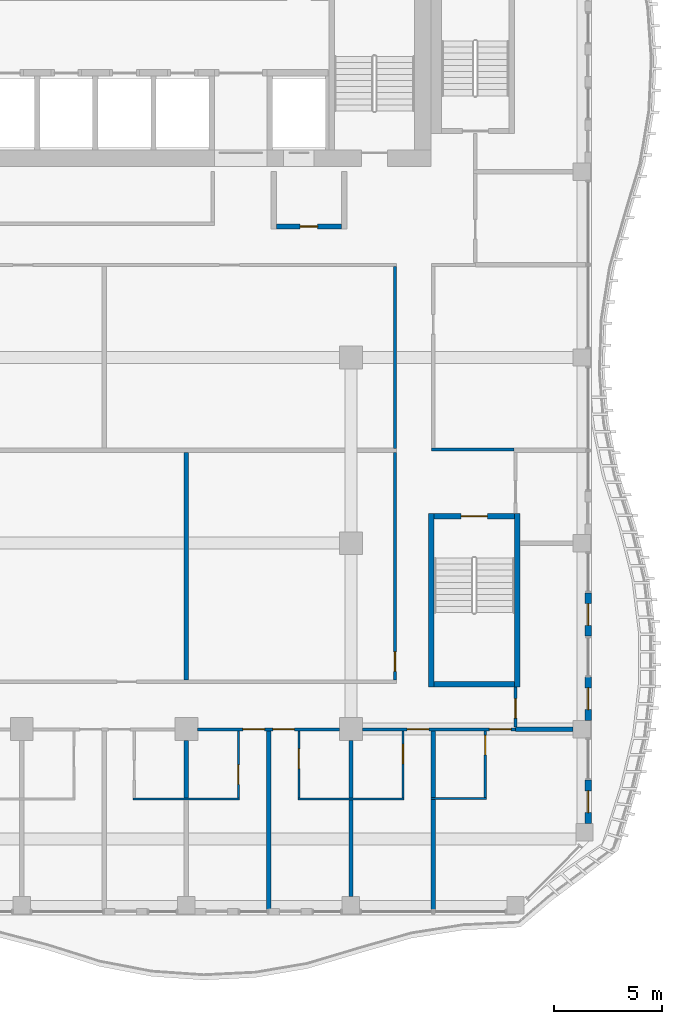
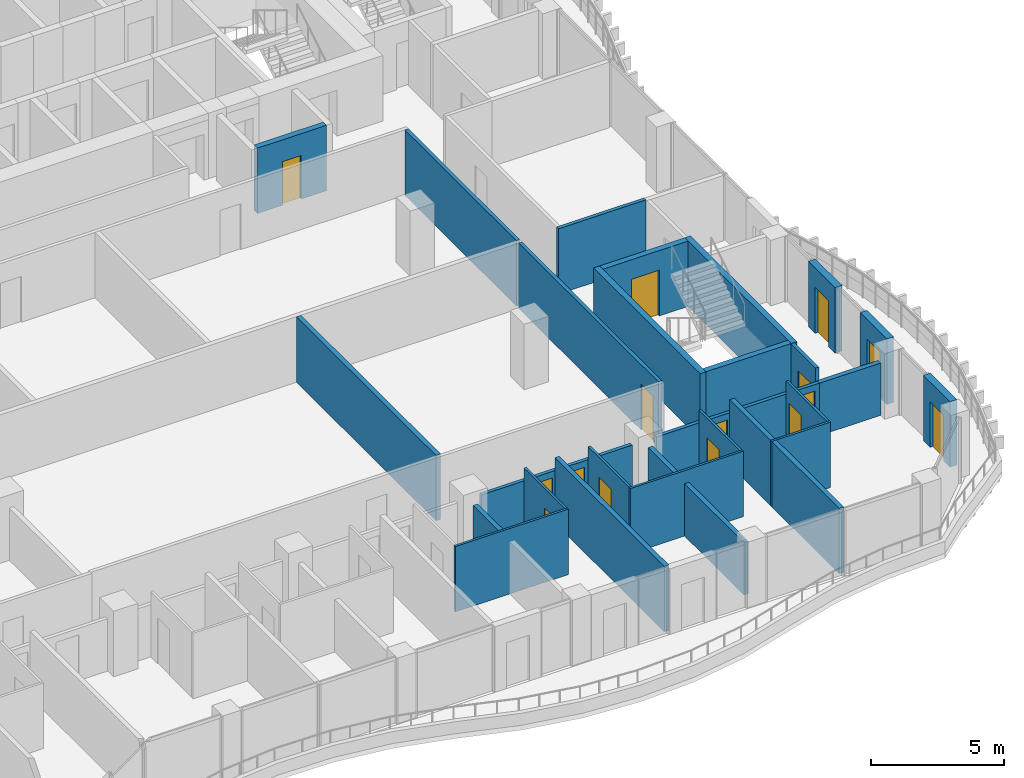
# One storey, part 13 of 24: 29 walls, 15 doors, 15 openings.
"""IFC4 building model written with IfcOpenShell, lengths in metres."""

from ifc_helpers import new_model, si_unit, direction, frame, frame_2d, origin, place, context, subcontext, project, spatial, rectangle, extrude, source, transform, mapped, material, layer, layer_set, type_object, element, fill, save


model = new_model("IFC4")

# Units and contexts
model_context = context("Model", 3, precision=1e-05, world=origin(), true_north=direction((0.0, 1.0)))
body_context = subcontext(model_context, "Body", "Model", "MODEL_VIEW")
ifc_project = project(units=[si_unit("LENGTHUNIT", "METRE"), si_unit("AREAUNIT", "SQUARE_METRE"), si_unit("VOLUMEUNIT", "CUBIC_METRE"), si_unit("PLANEANGLEUNIT", "RADIAN"), si_unit("MASSUNIT", "GRAM", prefix="KILO")], contexts=[model_context])

# Site, building, storey
site_placement = place(None, origin())
site = spatial("IfcSite", under=ifc_project, at=site_placement, CompositionType="ELEMENT")
building_placement = place(site_placement, origin())
building = spatial("IfcBuilding", under=site, at=building_placement, Name="Kilnfold Tower and Market Hall", CompositionType="ELEMENT")
storey_placement = place(building_placement, frame((0.0, 0.0, 192.300048828125)))
storey = spatial("IfcBuildingStorey", under=building, at=storey_placement, Name="L46", CompositionType="ELEMENT", Elevation=192.300048828125)

# Wall, openings, doors
ifc_material_1 = material(Name="Gypsum board on steel studs", Category="steel")
ifc_layer_1 = layer(ifc_material_1, 0.14990234375)
ifc_layer_set_1 = layer_set([ifc_layer_1], Name="Gypsum board on steel studs")
wall_type_1 = type_object("IfcWallType", Name="WALL CORRIDOR 150", PredefinedType="PARTITIONING", material=ifc_layer_set_1)
wall_1_placement = place(storey_placement, frame((7.10791015625, -17.699951171875, 0.0), z_axis=(0.0, 0.0, 1.0), x_axis=(1.0, 0.0, 0.0)))
wall_1 = element("IfcWall", 1, at=wall_1_placement, inside=storey, type_object=wall_type_1, Name="Partition LY28.5", PredefinedType="PARTITIONING", context=body_context, shape_type="SweptSolid", body=[
    extrude(rectangle(XDim=6.5341796875, YDim=0.14990234375, at=frame_2d((3.26708984375, 0.0))), origin(), (0.0, 0.0, 1.0), 2.39990234375),
])
opening_1_placement = place(wall_1_placement, frame((2.076904296875, 0.0, 0.0)))
opening_1 = element("IfcOpeningElement", 2, at=opening_1_placement, cuts=wall_1, Name="Opening D1", PredefinedType="OPENING", context=body_context, shape_type="SweptSolid", body=[
    extrude(rectangle(XDim=1.0, YDim=2.10009765625, at=frame_2d((0.5, 1.050048828125))), frame((0.0, 0.0849609375, 0.0), z_axis=(0.0, -1.0, 0.0), x_axis=(1.0, 0.0, 0.0)), (0.0, 0.0, 1.0), 0.169921875),
])
opening_2_placement = place(wall_1_placement, frame((3.45703125, 0.0, 0.0)))
opening_2 = element("IfcOpeningElement", 3, at=opening_2_placement, cuts=wall_1, Name="Opening D1", PredefinedType="OPENING", context=body_context, shape_type="SweptSolid", body=[
    extrude(rectangle(XDim=1.0, YDim=2.10009765625, at=frame_2d((0.5, 1.050048828125))), frame((0.0, 0.0849609375, 0.0), z_axis=(0.0, -1.0, 0.0), x_axis=(1.0, 0.0, 0.0)), (0.0, 0.0, 1.0), 0.169921875),
])
ifc_material_2 = material(Name="Timber veneer door leaf in steel frame", Category="steel")
door_type_1 = type_object("IfcDoorType", Name="DOOR ENTRY 1000 X2100", OperationType="NOTDEFINED", PredefinedType="DOOR", material=ifc_material_2)
door_1_placement = place(opening_1_placement, origin())
door_1 = element("IfcDoor", 4, at=door_1_placement, inside=storey, type_object=door_type_1, Name="Door D1", OperationType="SINGLE_SWING_RIGHT", OverallHeight=2.10009765625, OverallWidth=1.0, PredefinedType="DOOR", context=body_context, shape_type="SweptSolid", body=[
    extrude(rectangle(XDim=1.0, YDim=2.10009765625, at=frame_2d((0.5, 1.050048828125))), frame((0.0, 0.02490234375, 0.0), z_axis=(0.0, -1.0, 0.0), x_axis=(1.0, 0.0, 0.0)), (0.0, 0.0, 1.0), 0.050048828125),
])
fill(opening_1, door_1)
door_2_placement = place(opening_2_placement, origin())
door_2 = element("IfcDoor", 5, at=door_2_placement, inside=storey, type_object=door_type_1, Name="Door D1", OperationType="SINGLE_SWING_LEFT", OverallHeight=2.10009765625, OverallWidth=1.0, PredefinedType="DOOR", context=body_context, shape_type="SweptSolid", body=[
    extrude(rectangle(XDim=1.0, YDim=2.10009765625, at=frame_2d((0.5, 1.050048828125))), frame((0.0, 0.02490234375, 0.0), z_axis=(0.0, -1.0, 0.0), x_axis=(1.0, 0.0, 0.0)), (0.0, 0.0, 1.0), 0.050048828125),
])
fill(opening_2, door_2)

wall_2_placement = place(storey_placement, frame((14.69189453125, -17.699951171875, 0.0), z_axis=(0.0, 0.0, 1.0), x_axis=(1.0, 0.0, 0.0)))
wall_2 = element("IfcWall", 6, at=wall_2_placement, inside=storey, type_object=wall_type_1, Name="Partition LY28.6", PredefinedType="PARTITIONING", context=body_context, shape_type="SweptSolid", body=[
    extrude(rectangle(XDim=7.05810546875, YDim=0.14990234375, at=frame_2d((3.529052734375, 0.0))), origin(), (0.0, 0.0, 1.0), 2.39990234375),
])
opening_3_placement = place(wall_2_placement, frame((2.06494140625, 0.0, 0.0)))
opening_3 = element("IfcOpeningElement", 7, at=opening_3_placement, cuts=wall_2, Name="Opening D1", PredefinedType="OPENING", context=body_context, shape_type="SweptSolid", body=[
    extrude(rectangle(XDim=1.0, YDim=2.10009765625, at=frame_2d((0.5, 1.050048828125))), frame((0.0, 0.0849609375, 0.0), z_axis=(0.0, -1.0, 0.0), x_axis=(1.0, 0.0, 0.0)), (0.0, 0.0, 1.0), 0.169921875),
])
opening_4_placement = place(wall_2_placement, frame((5.85791015625, 0.0, 0.0)))
opening_4 = element("IfcOpeningElement", 8, at=opening_4_placement, cuts=wall_2, Name="Opening D1", PredefinedType="OPENING", context=body_context, shape_type="SweptSolid", body=[
    extrude(rectangle(XDim=1.0, YDim=2.10009765625, at=frame_2d((0.5, 1.050048828125))), frame((0.0, 0.0849609375, 0.0), z_axis=(0.0, -1.0, 0.0), x_axis=(1.0, 0.0, 0.0)), (0.0, 0.0, 1.0), 0.169921875),
])
door_3_placement = place(opening_3_placement, origin())
door_3 = element("IfcDoor", 9, at=door_3_placement, inside=storey, type_object=door_type_1, Name="Door D1", OperationType="SINGLE_SWING_LEFT", OverallHeight=2.10009765625, OverallWidth=1.0, PredefinedType="DOOR", context=body_context, shape_type="SweptSolid", body=[
    extrude(rectangle(XDim=1.0, YDim=2.10009765625, at=frame_2d((0.5, 1.050048828125))), frame((0.0, 0.02490234375, 0.0), z_axis=(0.0, -1.0, 0.0), x_axis=(1.0, 0.0, 0.0)), (0.0, 0.0, 1.0), 0.050048828125),
])
fill(opening_3, door_3)
door_4_placement = place(opening_4_placement, origin())
door_4 = element("IfcDoor", 10, at=door_4_placement, inside=storey, type_object=door_type_1, Name="Door D1", OperationType="SINGLE_SWING_RIGHT", OverallHeight=2.10009765625, OverallWidth=1.0, PredefinedType="DOOR", context=body_context, shape_type="SweptSolid", body=[
    extrude(rectangle(XDim=1.0, YDim=2.10009765625, at=frame_2d((0.5, 1.050048828125))), frame((0.0, 0.02490234375, 0.0), z_axis=(0.0, -1.0, 0.0), x_axis=(1.0, 0.0, 0.0)), (0.0, 0.0, 1.0), 0.050048828125),
])
fill(opening_4, door_4)

# Wall
wall_3_placement = place(storey_placement, frame((17.884033203125, -4.800048828125, 0.0), z_axis=(0.0, 0.0, 1.0), x_axis=(1.0, 0.0, 0.0)))
element("IfcWall", 11, at=wall_3_placement, inside=storey, type_object=wall_type_1, Name="Partition LY28.36", PredefinedType="PARTITIONING", context=body_context, shape_type="SweptSolid", body=[
    extrude(rectangle(XDim=3.79296875, YDim=0.14990234375, at=frame_2d((1.896484375, 0.0))), origin(), (0.0, 0.0, 1.0), 3.0),
])

# Wall, opening, door
wall_4_placement = place(storey_placement, frame((21.75, -17.597900390625, 0.0), z_axis=(0.0, 0.0, 1.0), x_axis=(0.0, 1.0, 0.0)))
wall_4 = element("IfcWall", 12, at=wall_4_placement, inside=storey, type_object=wall_type_1, Name="Partition LY28.38", PredefinedType="PARTITIONING", context=body_context, shape_type="SweptSolid", body=[
    extrude(rectangle(XDim=1.847900390625, YDim=0.14990234375, at=frame_2d((0.923828125, 0.0))), origin(), (0.0, 0.0, 1.0), 3.0),
])
opening_5_placement = place(wall_4_placement, frame((0.4189453125, 0.0, 0.0)))
opening_5 = element("IfcOpeningElement", 13, at=opening_5_placement, cuts=wall_4, Name="Opening D2", PredefinedType="OPENING", context=body_context, shape_type="SweptSolid", body=[
    extrude(rectangle(XDim=0.89990234375, YDim=2.10009765625, at=frame_2d((0.449951171875, 1.050048828125))), frame((0.0, 0.0849609375, 0.0), z_axis=(0.0, -1.0, 0.0), x_axis=(1.0, 0.0, 0.0)), (0.0, 0.0, 1.0), 0.169921875),
])
ifc_material_3 = material(Name="Timber veneer door leaf in steel frame", Category="steel")
door_type_2 = type_object("IfcDoorType", Name="DOOR ROOM 900 X2100", OperationType="NOTDEFINED", PredefinedType="DOOR", material=ifc_material_3)
door_5_placement = place(opening_5_placement, origin())
door_5 = element("IfcDoor", 14, at=door_5_placement, inside=storey, type_object=door_type_2, Name="Door D2", OperationType="SINGLE_SWING_LEFT", OverallHeight=2.10009765625, OverallWidth=0.89990234375, PredefinedType="DOOR", context=body_context, shape_type="SweptSolid", body=[
    extrude(rectangle(XDim=0.89990234375, YDim=2.10009765625, at=frame_2d((0.449951171875, 1.050048828125))), frame((0.0, 0.02490234375, 0.0), z_axis=(0.0, -1.0, 0.0), x_axis=(1.0, 0.0, 0.0)), (0.0, 0.0, 1.0), 0.050048828125),
])
fill(opening_5, door_5)

# Wall
wall_5_placement = place(storey_placement, frame((16.199951171875, -4.7529296875, 0.0), z_axis=(0.0, 0.0, 1.0), x_axis=(0.0, 1.0, 0.0)))
element("IfcWall", 15, at=wall_5_placement, inside=storey, type_object=wall_type_1, Name="Partition LY28.45", PredefinedType="PARTITIONING", context=body_context, shape_type="SweptSolid", body=[
    extrude(rectangle(XDim=8.3779296875, YDim=0.14990234375, at=frame_2d((4.18896484375, 0.0))), origin(), (0.0, 0.0, 1.0), 3.0),
])

# Wall, opening, door
wall_6_placement = place(storey_placement, frame((16.199951171875, -15.425048828125, 0.0), z_axis=(0.0, 0.0, 1.0), x_axis=(0.0, 1.0, 0.0)))
wall_6 = element("IfcWall", 16, at=wall_6_placement, inside=storey, type_object=wall_type_1, Name="Partition LY28.49", PredefinedType="PARTITIONING", context=body_context, shape_type="SweptSolid", body=[
    extrude(rectangle(XDim=10.491943359375, YDim=0.14990234375, at=frame_2d((5.24609375, 0.0))), origin(), (0.0, 0.0, 1.0), 3.0),
])
opening_6_placement = place(wall_6_placement, frame((0.402099609375, 0.0, 0.0)))
opening_6 = element("IfcOpeningElement", 17, at=opening_6_placement, cuts=wall_6, Name="Opening D2", PredefinedType="OPENING", context=body_context, shape_type="SweptSolid", body=[
    extrude(rectangle(XDim=0.89990234375, YDim=2.10009765625, at=frame_2d((0.449951171875, 1.050048828125))), frame((0.0, 0.0849609375, 0.0), z_axis=(0.0, -1.0, 0.0), x_axis=(1.0, 0.0, 0.0)), (0.0, 0.0, 1.0), 0.169921875),
])
door_6_placement = place(opening_6_placement, origin())
door_6 = element("IfcDoor", 18, at=door_6_placement, inside=storey, type_object=door_type_2, Name="Door D2", OperationType="SINGLE_SWING_RIGHT", OverallHeight=2.10009765625, OverallWidth=0.89990234375, PredefinedType="DOOR", context=body_context, shape_type="SweptSolid", body=[
    extrude(rectangle(XDim=0.89990234375, YDim=2.10009765625, at=frame_2d((0.449951171875, 1.050048828125))), frame((0.0, 0.02490234375, 0.0), z_axis=(0.0, -1.0, 0.0), x_axis=(1.0, 0.0, 0.0)), (0.0, 0.0, 1.0), 0.050048828125),
])
fill(opening_6, door_6)

# Wall
ifc_material_4 = material(Name="Gypsum board on steel studs", Category="steel")
ifc_layer_2 = layer(ifc_material_4, 0.10009765625)
ifc_layer_set_2 = layer_set([ifc_layer_2], Name="Gypsum board on steel studs")
wall_type_2 = type_object("IfcWallType", Name="WALL PARTITION 100", PredefinedType="PARTITIONING", material=ifc_layer_set_2)
wall_7_placement = place(storey_placement, frame((4.133056640625, -20.902099609375, 0.0), z_axis=(0.0, 0.0, 1.0), x_axis=(1.0, 0.0, 0.0)))
element("IfcWall", 19, at=wall_7_placement, inside=storey, type_object=wall_type_2, Name="Partition LY28.72", PredefinedType="PARTITIONING", context=body_context, shape_type="SweptSolid", body=[
    extrude(rectangle(XDim=4.89990234375, YDim=0.10009765625, at=frame_2d((2.449951171875, 0.0))), origin(), (0.0, 0.0, 1.0), 3.0),
])

# Wall, opening, door
wall_8_placement = place(storey_placement, frame((8.98291015625, -17.777099609375, 0.0), z_axis=(0.0, 0.0, 1.0), x_axis=(0.0, -1.0, 0.0)))
wall_8 = element("IfcWall", 20, at=wall_8_placement, inside=storey, type_object=wall_type_2, Name="Partition LY28.75", PredefinedType="PARTITIONING", context=body_context, shape_type="SweptSolid", body=[
    extrude(rectangle(XDim=3.074951171875, YDim=0.10009765625, at=frame_2d((1.53759765625, 0.0))), origin(), (0.0, 0.0, 1.0), 3.0),
])
opening_7_placement = place(wall_8_placement, frame((1.556884765625, 0.0, 0.0)))
opening_7 = element("IfcOpeningElement", 21, at=opening_7_placement, cuts=wall_8, Name="Opening D3", PredefinedType="OPENING", context=body_context, shape_type="SweptSolid", body=[
    extrude(rectangle(XDim=0.89990234375, YDim=2.10009765625, at=frame_2d((0.449951171875, 1.050048828125))), frame((0.0, 0.06005859375, 0.0), z_axis=(0.0, -1.0, 0.0), x_axis=(1.0, 0.0, 0.0)), (0.0, 0.0, 1.0), 0.1201171875),
])
ifc_material_5 = material(Name="Timber veneer door leaf in steel frame", Category="steel")
door_type_3 = type_object("IfcDoorType", Name="DOOR WC 900 X2100", OperationType="NOTDEFINED", PredefinedType="DOOR", material=ifc_material_5)
door_7_placement = place(opening_7_placement, origin())
door_7 = element("IfcDoor", 22, at=door_7_placement, inside=storey, type_object=door_type_3, Name="Door D3", OperationType="SINGLE_SWING_RIGHT", OverallHeight=2.10009765625, OverallWidth=0.89990234375, PredefinedType="DOOR", context=body_context, shape_type="SweptSolid", body=[
    extrude(rectangle(XDim=0.89990234375, YDim=2.10009765625, at=frame_2d((0.449951171875, 1.050048828125))), frame((0.0, 0.02490234375, 0.0), z_axis=(0.0, -1.0, 0.0), x_axis=(1.0, 0.0, 0.0)), (0.0, 0.0, 1.0), 0.050048828125),
])
fill(opening_7, door_7)

wall_9_placement = place(storey_placement, frame((11.76708984375, -20.85205078125, 0.0), z_axis=(0.0, 0.0, 1.0), x_axis=(0.0, 1.0, 0.0)))
wall_9 = element("IfcWall", 23, at=wall_9_placement, inside=storey, type_object=wall_type_2, Name="Partition LY28.77", PredefinedType="PARTITIONING", context=body_context, shape_type="SweptSolid", body=[
    extrude(rectangle(XDim=3.074951171875, YDim=0.10009765625, at=frame_2d((1.53759765625, 0.0))), origin(), (0.0, 0.0, 1.0), 3.0),
])
opening_8_placement = place(wall_9_placement, frame((1.34912109375, 0.0, 0.0)))
opening_8 = element("IfcOpeningElement", 24, at=opening_8_placement, cuts=wall_9, Name="Opening D3", PredefinedType="OPENING", context=body_context, shape_type="SweptSolid", body=[
    extrude(rectangle(XDim=0.89990234375, YDim=2.10009765625, at=frame_2d((0.449951171875, 1.050048828125))), frame((0.0, 0.06005859375, 0.0), z_axis=(0.0, -1.0, 0.0), x_axis=(1.0, 0.0, 0.0)), (0.0, 0.0, 1.0), 0.1201171875),
])
door_8_placement = place(opening_8_placement, origin())
door_8 = element("IfcDoor", 25, at=door_8_placement, inside=storey, type_object=door_type_3, Name="Door D3", OperationType="SINGLE_SWING_RIGHT", OverallHeight=2.10009765625, OverallWidth=0.89990234375, PredefinedType="DOOR", context=body_context, shape_type="SweptSolid", body=[
    extrude(rectangle(XDim=0.89990234375, YDim=2.10009765625, at=frame_2d((0.449951171875, 1.050048828125))), frame((0.0, 0.02490234375, 0.0), z_axis=(0.0, -1.0, 0.0), x_axis=(1.0, 0.0, 0.0)), (0.0, 0.0, 1.0), 0.050048828125),
])
fill(opening_8, door_8)

# Wall
wall_10_placement = place(storey_placement, frame((11.717041015625, -20.902099609375, 0.0), z_axis=(0.0, 0.0, 1.0), x_axis=(1.0, 0.0, 0.0)))
element("IfcWall", 26, at=wall_10_placement, inside=storey, type_object=wall_type_2, Name="Partition LY28.78", PredefinedType="PARTITIONING", context=body_context, shape_type="SweptSolid", body=[
    extrude(rectangle(XDim=4.89990234375, YDim=0.10009765625, at=frame_2d((2.449951171875, 0.0))), origin(), (0.0, 0.0, 1.0), 3.0),
])

# Wall, opening, door
wall_11_placement = place(storey_placement, frame((16.56689453125, -17.777099609375, 0.0), z_axis=(0.0, 0.0, 1.0), x_axis=(0.0, -1.0, 0.0)))
wall_11 = element("IfcWall", 27, at=wall_11_placement, inside=storey, type_object=wall_type_2, Name="Partition LY28.81", PredefinedType="PARTITIONING", context=body_context, shape_type="SweptSolid", body=[
    extrude(rectangle(XDim=3.074951171875, YDim=0.10009765625, at=frame_2d((1.53759765625, 0.0))), origin(), (0.0, 0.0, 1.0), 3.0),
])
opening_9_placement = place(wall_11_placement, frame((0.617919921875, 0.0, 0.0)))
opening_9 = element("IfcOpeningElement", 28, at=opening_9_placement, cuts=wall_11, Name="Opening D3", PredefinedType="OPENING", context=body_context, shape_type="SweptSolid", body=[
    extrude(rectangle(XDim=0.89990234375, YDim=2.10009765625, at=frame_2d((0.449951171875, 1.050048828125))), frame((0.0, 0.06005859375, 0.0), z_axis=(0.0, -1.0, 0.0), x_axis=(1.0, 0.0, 0.0)), (0.0, 0.0, 1.0), 0.1201171875),
])
door_9_placement = place(opening_9_placement, origin())
door_9 = element("IfcDoor", 29, at=door_9_placement, inside=storey, type_object=door_type_3, Name="Door D3", OperationType="SINGLE_SWING_LEFT", OverallHeight=2.10009765625, OverallWidth=0.89990234375, PredefinedType="DOOR", context=body_context, shape_type="SweptSolid", body=[
    extrude(rectangle(XDim=0.89990234375, YDim=2.10009765625, at=frame_2d((0.449951171875, 1.050048828125))), frame((0.0, 0.02490234375, 0.0), z_axis=(0.0, -1.0, 0.0), x_axis=(1.0, 0.0, 0.0)), (0.0, 0.0, 1.0), 0.050048828125),
])
fill(opening_9, door_9)

# Wall
wall_12_placement = place(storey_placement, frame((17.85888671875, -20.887939453125, 0.0), z_axis=(0.0, 0.0, 1.0), x_axis=(1.0, 0.0, 0.0)))
element("IfcWall", 30, at=wall_12_placement, inside=storey, type_object=wall_type_2, Name="Partition LY28.84", PredefinedType="PARTITIONING", context=body_context, shape_type="SweptSolid", body=[
    extrude(rectangle(XDim=2.550048828125, YDim=0.10009765625, at=frame_2d((1.27490234375, 0.0))), origin(), (0.0, 0.0, 1.0), 3.0),
])

# Wall, opening, door
wall_13_placement = place(storey_placement, frame((20.35888671875, -17.777099609375, 0.0), z_axis=(0.0, 0.0, 1.0), x_axis=(0.0, -1.0, 0.0)))
wall_13 = element("IfcWall", 31, at=wall_13_placement, inside=storey, type_object=wall_type_2, Name="Partition LY28.85", PredefinedType="PARTITIONING", context=body_context, shape_type="SweptSolid", body=[
    extrude(rectangle(XDim=3.060791015625, YDim=0.10009765625, at=frame_2d((1.5302734375, 0.0))), origin(), (0.0, 0.0, 1.0), 3.0),
])
opening_10_placement = place(wall_13_placement, frame((0.199951171875, 0.0, 0.0)))
opening_10 = element("IfcOpeningElement", 32, at=opening_10_placement, cuts=wall_13, Name="Opening D3", PredefinedType="OPENING", context=body_context, shape_type="SweptSolid", body=[
    extrude(rectangle(XDim=0.89990234375, YDim=2.10009765625, at=frame_2d((0.449951171875, 1.050048828125))), frame((0.0, 0.06005859375, 0.0), z_axis=(0.0, -1.0, 0.0), x_axis=(1.0, 0.0, 0.0)), (0.0, 0.0, 1.0), 0.1201171875),
])
door_10_placement = place(opening_10_placement, origin())
door_10 = element("IfcDoor", 33, at=door_10_placement, inside=storey, type_object=door_type_3, Name="Door D3", OperationType="SINGLE_SWING_LEFT", OverallHeight=2.10009765625, OverallWidth=0.89990234375, PredefinedType="DOOR", context=body_context, shape_type="SweptSolid", body=[
    extrude(rectangle(XDim=0.89990234375, YDim=2.10009765625, at=frame_2d((0.449951171875, 1.050048828125))), frame((0.0, 0.02490234375, 0.0), z_axis=(0.0, -1.0, 0.0), x_axis=(1.0, 0.0, 0.0)), (0.0, 0.0, 1.0), 0.050048828125),
])
fill(opening_10, door_10)

# Walls
ifc_material_6 = material(Name="Gypsum board on steel studs", Category="steel")
ifc_layer_3 = layer(ifc_material_6, 0.199951171875)
ifc_layer_set_3 = layer_set([ifc_layer_3], Name="Gypsum board on steel studs")
wall_type_3 = type_object("IfcWallType", Name="WALL PARTY 200", PredefinedType="PARTITIONING", material=ifc_layer_set_3)
wall_14_placement = place(storey_placement, frame((6.5830078125, -20.85205078125, 0.0), z_axis=(0.0, 0.0, 1.0), x_axis=(0.0, 1.0, 0.0)))
element("IfcWall", 34, at=wall_14_placement, inside=storey, type_object=wall_type_3, Name="Partition LY28.74", PredefinedType="PARTITIONING", context=body_context, shape_type="SweptSolid", body=[
    extrude(rectangle(XDim=2.64013671875, YDim=0.199951171875, at=frame_2d((1.320068359375, 0.0))), origin(), (0.0, 0.0, 1.0), 2.39990234375),
])
wall_15_placement = place(storey_placement, frame((10.375, -26.0, 0.0), z_axis=(0.0, 0.0, 1.0), x_axis=(0.0, 1.0, 0.0)))
element("IfcWall", 35, at=wall_15_placement, inside=storey, type_object=wall_type_3, Name="Partition LY28.76", PredefinedType="PARTITIONING", context=body_context, shape_type="SweptSolid", body=[
    extrude(rectangle(XDim=8.222900390625, YDim=0.199951171875, at=frame_2d((4.111328125, 0.0))), origin(), (0.0, 0.0, 1.0), 3.0),
])
wall_16_placement = place(storey_placement, frame((14.1669921875, -25.39990234375, 0.0), z_axis=(0.0, 0.0, 1.0), x_axis=(0.0, 1.0, 0.0)))
element("IfcWall", 36, at=wall_16_placement, inside=storey, type_object=wall_type_3, Name="Partition LY28.79", PredefinedType="PARTITIONING", context=body_context, shape_type="SweptSolid", body=[
    extrude(rectangle(XDim=4.447998046875, YDim=0.199951171875, at=frame_2d((2.22412109375, 0.0))), origin(), (0.0, 0.0, 1.0), 2.39990234375),
])
wall_17_placement = place(storey_placement, frame((14.1669921875, -20.85205078125, 0.0), z_axis=(0.0, 0.0, 1.0), x_axis=(0.0, 1.0, 0.0)))
element("IfcWall", 37, at=wall_17_placement, inside=storey, type_object=wall_type_3, Name="Partition LY28.80", PredefinedType="PARTITIONING", context=body_context, shape_type="SweptSolid", body=[
    extrude(rectangle(XDim=2.64013671875, YDim=0.199951171875, at=frame_2d((1.320068359375, 0.0))), origin(), (0.0, 0.0, 1.0), 2.39990234375),
])
wall_18_placement = place(storey_placement, frame((17.958984375, -26.0, 0.0), z_axis=(0.0, 0.0, 1.0), x_axis=(0.0, 1.0, 0.0)))
element("IfcWall", 38, at=wall_18_placement, inside=storey, type_object=wall_type_3, Name="Partition LY28.82", PredefinedType="PARTITIONING", context=body_context, shape_type="SweptSolid", body=[
    extrude(rectangle(XDim=5.072021484375, YDim=0.199951171875, at=frame_2d((2.5361328125, 0.0))), origin(), (0.0, 0.0, 1.0), 3.0),
])
wall_19_placement = place(storey_placement, frame((17.958984375, -20.847900390625, 0.0), z_axis=(0.0, 0.0, 1.0), x_axis=(0.0, 1.0, 0.0)))
element("IfcWall", 39, at=wall_19_placement, inside=storey, type_object=wall_type_3, Name="Partition LY28.83", PredefinedType="PARTITIONING", context=body_context, shape_type="SweptSolid", body=[
    extrude(rectangle(XDim=3.07080078125, YDim=0.199951171875, at=frame_2d((1.535400390625, 0.0))), origin(), (0.0, 0.0, 1.0), 3.0),
])
wall_20_placement = place(storey_placement, frame((21.751953125, -17.68798828125, 0.0), z_axis=(0.0, 0.0, 1.0), x_axis=(1.0, 0.0, 0.0)))
element("IfcWall", 40, at=wall_20_placement, inside=storey, type_object=wall_type_3, Name="Partition LY28.86", PredefinedType="PARTITIONING", context=body_context, shape_type="SweptSolid", body=[
    extrude(rectangle(XDim=2.64794921875, YDim=0.199951171875, at=frame_2d((1.323974609375, 0.0))), origin(), (0.0, 0.0, 1.0), 2.39990234375),
])
wall_21_placement = place(storey_placement, frame((6.5830078125, -15.423095703125, 0.0), z_axis=(0.0, 0.0, 1.0), x_axis=(0.0, 1.0, 0.0)))
element("IfcWall", 41, at=wall_21_placement, inside=storey, type_object=wall_type_3, Name="Partition LY28.127", PredefinedType="PARTITIONING", context=body_context, shape_type="SweptSolid", body=[
    extrude(rectangle(XDim=10.47998046875, YDim=0.199951171875, at=frame_2d((5.239990234375, 0.0))), origin(), (0.0, 0.0, 1.0), 3.0),
])
ifc_material_7 = material(Name="Concrete C60", Category="concrete")
ifc_layer_4 = layer(ifc_material_7, 0.25)
ifc_layer_set_4 = layer_set([ifc_layer_4], Name="Concrete C60")
wall_type_4 = type_object("IfcWallType", Name="CORE WALL 250 C60", PredefinedType="SHEAR", material=ifc_layer_set_4)
shared_shape_1 = source(origin(), body_context, "Body", "SweptSolid", [
    extrude(rectangle(XDim=3.699951171875, YDim=0.25, at=frame_2d((1.85009765625, 0.0))), origin(), (0.0, 0.0, 1.0), 3.0),
])
wall_22_placement = place(storey_placement, frame((18.0, -15.625, 0.0), z_axis=(0.0, 0.0, 1.0), x_axis=(1.0, 0.0, 0.0)))
element("IfcWall", 42, at=wall_22_placement, inside=storey, type_object=wall_type_4, Name="Stair enclosure ST4", PredefinedType="SHEAR", context=body_context, shape_type="MappedRepresentation", body=[
    mapped(shared_shape_1, transform((0.0, 0.0, 0.0))),
])

# Wall, opening, door
wall_23_placement = place(storey_placement, frame((18.0, -7.875, 0.0), z_axis=(0.0, 0.0, 1.0), x_axis=(1.0, 0.0, 0.0)))
wall_23 = element("IfcWall", 43, at=wall_23_placement, inside=storey, type_object=wall_type_4, Name="Stair enclosure ST4", PredefinedType="SHEAR", context=body_context, shape_type="MappedRepresentation", body=[
    mapped(shared_shape_1, transform((0.0, 0.0, 0.0))),
])
opening_11_placement = place(wall_23_placement, frame((1.25, 0.0, 0.0)))
opening_11 = element("IfcOpeningElement", 44, at=opening_11_placement, cuts=wall_23, Name="Opening SD1", PredefinedType="OPENING", context=body_context, shape_type="SweptSolid", body=[
    extrude(rectangle(XDim=1.199951171875, YDim=2.10009765625, at=frame_2d((0.60009765625, 1.050048828125))), frame((0.0, 0.135009765625, 0.0), z_axis=(0.0, -1.0, 0.0), x_axis=(1.0, 0.0, 0.0)), (0.0, 0.0, 1.0), 0.27001953125),
])
ifc_material_8 = material(Name="Steel door set with fire-resisting leaf", Category="steel")
door_type_4 = type_object("IfcDoorType", Name="STAIR FLOOR DOOR 1200X2100", OperationType="NOTDEFINED", PredefinedType="DOOR", material=ifc_material_8)
door_11_placement = place(opening_11_placement, origin())
door_11 = element("IfcDoor", 45, at=door_11_placement, inside=storey, type_object=door_type_4, Name="Exit stair ST4 door", OperationType="DOUBLE_DOOR_SINGLE_SWING", OverallHeight=2.10009765625, OverallWidth=1.199951171875, PredefinedType="DOOR", context=body_context, shape_type="SweptSolid", body=[
    extrude(rectangle(XDim=1.199951171875, YDim=2.10009765625, at=frame_2d((0.60009765625, 1.050048828125))), frame((0.0, 0.02490234375, 0.0), z_axis=(0.0, -1.0, 0.0), x_axis=(1.0, 0.0, 0.0)), (0.0, 0.0, 1.0), 0.050048828125),
])
fill(opening_11, door_11)

# Walls
shared_shape_2 = source(origin(), body_context, "Body", "SweptSolid", [
    extrude(rectangle(XDim=8.0, YDim=0.25, at=frame_2d((4.0, 0.0))), origin(), (0.0, 0.0, 1.0), 3.0),
])
for number, where, z_axis, x_axis, name in (
    (46, (17.875, -15.75, 0.0), (0.0, 0.0, 1.0), (0.0, 1.0, 0.0), "Stair enclosure ST4"),
    (47, (21.824951171875, -15.75, 0.0), (0.0, 0.0, 1.0), (0.0, 1.0, 0.0), "Stair enclosure ST4"),
):
    element("IfcWall", number, at=place(storey_placement, frame(where, z_axis=z_axis, x_axis=x_axis)), inside=storey, type_object=wall_type_4, Name=name, PredefinedType="SHEAR", context=body_context, shape_type="MappedRepresentation", body=[
        mapped(shared_shape_2, transform((0.0, 0.0, 0.0))),
    ])

# Wall, opening, door
ifc_material_9 = material(Name="Precast concrete C50/60", Category="concrete")
ifc_layer_5 = layer(ifc_material_9, 0.300048828125)
ifc_layer_set_5 = layer_set([ifc_layer_5], Name="Precast concrete C50/60")
wall_type_5 = type_object("IfcWallType", Name="PRECAST WALL 300", PredefinedType="SOLIDWALL", material=ifc_layer_set_5)
shared_shape_3 = source(origin(), body_context, "Body", "SweptSolid", [
    extrude(rectangle(XDim=2.0, YDim=0.300048828125, at=frame_2d((1.0, 0.0))), origin(), (0.0, 0.0, 1.0), 3.0),
])
wall_24_placement = place(storey_placement, frame((25.10009765625, -22.03173828125, 0.0), z_axis=(0.0, 0.0, 1.0), x_axis=(0.0, 1.0, 0.0)))
wall_24 = element("IfcWall", 48, at=wall_24_placement, inside=storey, type_object=wall_type_5, Name="External wall L46 E", PredefinedType="SOLIDWALL", context=body_context, shape_type="MappedRepresentation", body=[
    mapped(shared_shape_3, transform((0.0, 0.0, 0.0))),
])
opening_12_placement = place(wall_24_placement, frame((0.5, 0.0, 0.0)))
opening_12 = element("IfcOpeningElement", 49, at=opening_12_placement, cuts=wall_24, Name="Opening BD1", PredefinedType="OPENING", context=body_context, shape_type="SweptSolid", body=[
    extrude(rectangle(XDim=1.0, YDim=2.10009765625, at=frame_2d((0.5, 1.050048828125))), frame((0.0, 0.16015625, 0.0), z_axis=(0.0, -1.0, 0.0), x_axis=(1.0, 0.0, 0.0)), (0.0, 0.0, 1.0), 0.320068359375),
])
ifc_material_10 = material(Name="Aluminium frame and double glazing", Category="aluminium")
door_type_5 = type_object("IfcDoorType", Name="BALCONY DOOR 1000X2100", OperationType="NOTDEFINED", PredefinedType="DOOR", material=ifc_material_10)
door_12_placement = place(opening_12_placement, origin())
door_12 = element("IfcDoor", 50, at=door_12_placement, inside=storey, type_object=door_type_5, Name="Balcony door BD1 L46 E-1", OperationType="SINGLE_SWING_LEFT", OverallHeight=2.10009765625, OverallWidth=1.0, PredefinedType="DOOR", context=body_context, shape_type="SweptSolid", body=[
    extrude(rectangle(XDim=1.0, YDim=2.10009765625, at=frame_2d((0.5, 1.050048828125))), frame((0.0, 0.02490234375, 0.0), z_axis=(0.0, -1.0, 0.0), x_axis=(1.0, 0.0, 0.0)), (0.0, 0.0, 1.0), 0.050048828125),
])
fill(opening_12, door_12)

wall_25_placement = place(storey_placement, frame((25.10009765625, -17.28759765625, 0.0), z_axis=(0.0, 0.0, 1.0), x_axis=(0.0, 1.0, 0.0)))
wall_25 = element("IfcWall", 51, at=wall_25_placement, inside=storey, type_object=wall_type_5, Name="External wall L46 E", PredefinedType="SOLIDWALL", context=body_context, shape_type="MappedRepresentation", body=[
    mapped(shared_shape_3, transform((0.0, 0.0, 0.0))),
])
opening_13_placement = place(wall_25_placement, frame((0.5, 0.0, 0.0)))
opening_13 = element("IfcOpeningElement", 52, at=opening_13_placement, cuts=wall_25, Name="Opening BD1", PredefinedType="OPENING", context=body_context, shape_type="SweptSolid", body=[
    extrude(rectangle(XDim=1.0, YDim=2.10009765625, at=frame_2d((0.5, 1.050048828125))), frame((0.0, 0.16015625, 0.0), z_axis=(0.0, -1.0, 0.0), x_axis=(1.0, 0.0, 0.0)), (0.0, 0.0, 1.0), 0.320068359375),
])
door_13_placement = place(opening_13_placement, origin())
door_13 = element("IfcDoor", 53, at=door_13_placement, inside=storey, type_object=door_type_5, Name="Balcony door BD1 L46 E-1", OperationType="SINGLE_SWING_LEFT", OverallHeight=2.10009765625, OverallWidth=1.0, PredefinedType="DOOR", context=body_context, shape_type="SweptSolid", body=[
    extrude(rectangle(XDim=1.0, YDim=2.10009765625, at=frame_2d((0.5, 1.050048828125))), frame((0.0, 0.02490234375, 0.0), z_axis=(0.0, -1.0, 0.0), x_axis=(1.0, 0.0, 0.0)), (0.0, 0.0, 1.0), 0.050048828125),
])
fill(opening_13, door_13)

wall_26_placement = place(storey_placement, frame((25.10009765625, -13.40625, 0.0), z_axis=(0.0, 0.0, 1.0), x_axis=(0.0, 1.0, 0.0)))
wall_26 = element("IfcWall", 54, at=wall_26_placement, inside=storey, type_object=wall_type_5, Name="External wall L46 E", PredefinedType="SOLIDWALL", context=body_context, shape_type="MappedRepresentation", body=[
    mapped(shared_shape_3, transform((0.0, 0.0, 0.0))),
])
opening_14_placement = place(wall_26_placement, frame((0.5, 0.0, 0.0)))
opening_14 = element("IfcOpeningElement", 55, at=opening_14_placement, cuts=wall_26, Name="Opening BD1", PredefinedType="OPENING", context=body_context, shape_type="SweptSolid", body=[
    extrude(rectangle(XDim=1.0, YDim=2.10009765625, at=frame_2d((0.5, 1.050048828125))), frame((0.0, 0.16015625, 0.0), z_axis=(0.0, -1.0, 0.0), x_axis=(1.0, 0.0, 0.0)), (0.0, 0.0, 1.0), 0.320068359375),
])
door_14_placement = place(opening_14_placement, origin())
door_14 = element("IfcDoor", 56, at=door_14_placement, inside=storey, type_object=door_type_5, Name="Balcony door BD1 L46 E-2", OperationType="SINGLE_SWING_RIGHT", OverallHeight=2.10009765625, OverallWidth=1.0, PredefinedType="DOOR", context=body_context, shape_type="SweptSolid", body=[
    extrude(rectangle(XDim=1.0, YDim=2.10009765625, at=frame_2d((0.5, 1.050048828125))), frame((0.0, 0.02490234375, 0.0), z_axis=(0.0, -1.0, 0.0), x_axis=(1.0, 0.0, 0.0)), (0.0, 0.0, 1.0), 0.050048828125),
])
fill(opening_14, door_14)

ifc_material_11 = material(Name="Gypsum shaft wall system")
ifc_layer_6 = layer(ifc_material_11, 0.25)
ifc_layer_set_6 = layer_set([ifc_layer_6], Name="Gypsum shaft wall system")
wall_type_6 = type_object("IfcWallType", Name="LOBBY WALL 250", PredefinedType="PARTITIONING", material=ifc_layer_set_6)
shared_shape_4 = source(origin(), body_context, "Body", "SweptSolid", [
    extrude(rectangle(XDim=3.0, YDim=0.25, at=frame_2d((1.5, 0.0))), origin(), (0.0, 0.0, 1.0), 3.0),
])
wall_27_placement = place(storey_placement, frame((10.72998046875, 5.47509765625, 0.0), z_axis=(0.0, 0.0, 1.0), x_axis=(1.0, 0.0, 0.0)))
wall_27 = element("IfcWall", 57, at=wall_27_placement, inside=storey, type_object=wall_type_6, Name="Firefighting lobby wall", PredefinedType="PARTITIONING", context=body_context, shape_type="MappedRepresentation", body=[
    mapped(shared_shape_4, transform((0.0, 0.0, 0.0))),
])
opening_15_placement = place(wall_27_placement, frame((1.10009765625, 0.0, 0.0)))
opening_15 = element("IfcOpeningElement", 58, at=opening_15_placement, cuts=wall_27, Name="Opening VD1", PredefinedType="OPENING", context=body_context, shape_type="SweptSolid", body=[
    extrude(rectangle(XDim=0.800048828125, YDim=2.0, at=frame_2d((0.39990234375, 1.0))), frame((0.0, 0.135009765625, 0.0), z_axis=(0.0, -1.0, 0.0), x_axis=(1.0, 0.0, 0.0)), (0.0, 0.0, 1.0), 0.27001953125),
])
ifc_material_12 = material(Name="Steel door set with fire-resisting leaf", Category="steel")
door_type_6 = type_object("IfcDoorType", Name="FIREFIGHTING LOBBY DOOR 800X2000", OperationType="NOTDEFINED", PredefinedType="DOOR", material=ifc_material_12)
door_15_placement = place(opening_15_placement, origin())
door_15 = element("IfcDoor", 59, at=door_15_placement, inside=storey, type_object=door_type_6, Name="Firefighting lobby door", OperationType="SINGLE_SWING_RIGHT", OverallHeight=2.0, OverallWidth=0.800048828125, PredefinedType="DOOR", context=body_context, shape_type="SweptSolid", body=[
    extrude(rectangle(XDim=0.800048828125, YDim=2.0, at=frame_2d((0.39990234375, 1.0))), frame((0.0, 0.02490234375, 0.0), z_axis=(0.0, -1.0, 0.0), x_axis=(1.0, 0.0, 0.0)), (0.0, 0.0, 1.0), 0.050048828125),
])
fill(opening_15, door_15)

save(model, "model.ifc")
